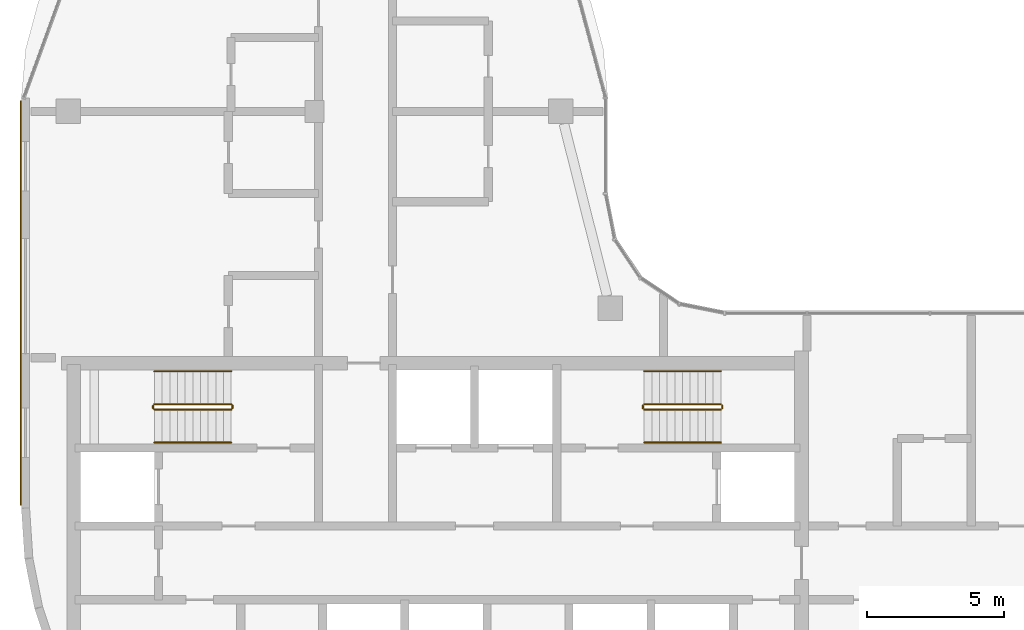
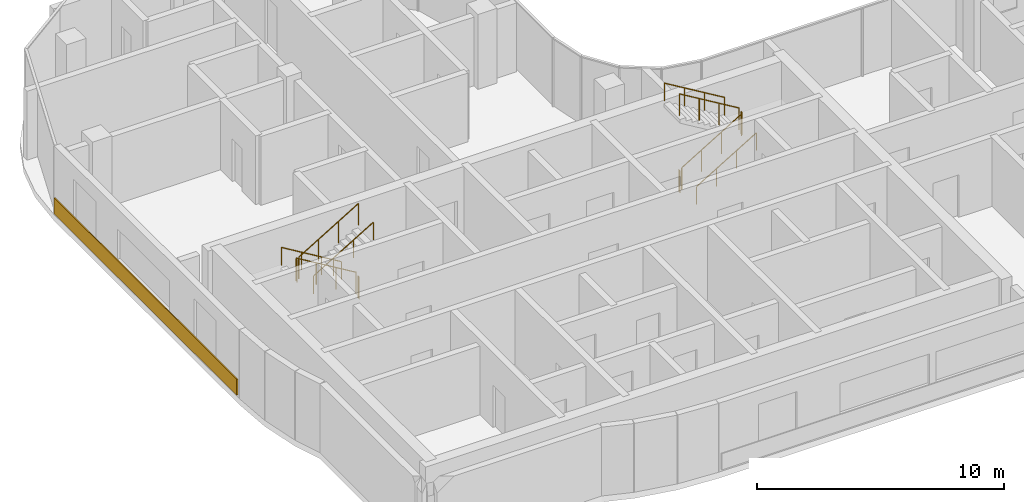
# One storey, part 16 of 19: 12 railings, 1 covering.
"""IFC4 building model written with IfcOpenShell, lengths in metres."""

import ifcopenshell
import ifcopenshell.guid

model = None  # the IFC model being written
_history = None  # IfcOwnerHistory: only IFC2X3 demands one
_inside = {}  # id of a spatial element -> (the spatial element, [elements in it])
_under = {}  # id of a project, library or spatial element -> (it, [spatial elements below it])
_declared = {}  # id of a project -> (the project, [libraries it declares])
_typed = {}  # id of a type object -> (the type object, [elements of that type])
_made_of = {}  # id of a material, layer set ... -> (it, [elements and type objects made of it])


def new_model(schema):
    """Start an empty IFC model of exactly this schema.

    Asked for "IFC4X3", IfcOpenShell would pick the latest addendum, in which some entities
    have other attributes; the version numbers below select the first issue.
    IFC2X3 requires an IfcOwnerHistory on every rooted entity: one is made here for all.
    """
    global model, _history
    if schema == "IFC4X3":
        model = ifcopenshell.file(schema_version=(4, 3, 0, 0))
    else:
        model = ifcopenshell.file(schema=schema)
    _inside.clear()
    _under.clear()
    _declared.clear()
    _typed.clear()
    _made_of.clear()
    _history = None
    if model.schema == "IFC2X3":
        org = make("IfcOrganization", Name="unknown")
        user = make(
            "IfcPersonAndOrganization",
            ThePerson=make("IfcPerson", FamilyName="unknown"),
            TheOrganization=org,
        )
        app = make(
            "IfcApplication",
            ApplicationDeveloper=org,
            Version="unknown",
            ApplicationFullName="unknown",
            ApplicationIdentifier="unknown",
        )
        _history = make(
            "IfcOwnerHistory",
            OwningUser=user,
            OwningApplication=app,
            ChangeAction="ADDED",
            CreationDate=0,
        )
    return model


def make(cls, **values):
    """One entity of the class cls with the attributes given. An attribute that is None is left unset."""
    return model.create_entity(
        cls, **{name: value for name, value in values.items() if value is not None}
    )


def rooted(cls, **values):
    """An entity with a GlobalId (a new one), such as an element, a storey or a relation."""
    return make(cls, GlobalId=ifcopenshell.guid.new(), OwnerHistory=_history, **values)


def si_unit(unit_type, name, prefix=None):
    """IfcSIUnit, for example si_unit("LENGTHUNIT", "METRE", prefix="MILLI")."""
    return make("IfcSIUnit", UnitType=unit_type, Prefix=prefix, Name=name)


def assignment(units):
    """IfcUnitAssignment: the units of a project."""
    return None if units is None else make("IfcUnitAssignment", Units=units)


def point(xyz):
    """IfcCartesianPoint."""
    return None if xyz is None else make("IfcCartesianPoint", Coordinates=xyz)


def direction(xyz):
    """IfcDirection."""
    return None if xyz is None else make("IfcDirection", DirectionRatios=xyz)


def frame(location, z_axis=None, x_axis=None):
    """IfcAxis2Placement3D, a coordinate frame: its origin and axes. An axis left out is left unset."""
    return make(
        "IfcAxis2Placement3D",
        Location=point(location),
        Axis=direction(z_axis),
        RefDirection=direction(x_axis),
    )


def frame_2d(location, x_axis=None):
    """IfcAxis2Placement2D, a coordinate frame in the plane: its origin and x axis."""
    return make(
        "IfcAxis2Placement2D", Location=point(location), RefDirection=direction(x_axis)
    )


def origin():
    """The frame at (0, 0, 0) with its axes left unset."""
    return frame((0.0, 0.0, 0.0))


def origin_2d():
    """The frame at (0, 0) in the plane with its x axis left unset."""
    return frame_2d((0.0, 0.0))


def place(relative_to, where):
    """IfcLocalPlacement: puts the frame where relative to a parent placement (None: the world)."""
    return make(
        "IfcLocalPlacement", PlacementRelTo=relative_to, RelativePlacement=where
    )


def context(
    kind, dimensions, precision=None, world=None, true_north=None, identifier=None
):
    """IfcGeometricRepresentationContext, for example the 3D "Model" context."""
    return make(
        "IfcGeometricRepresentationContext",
        ContextIdentifier=identifier,
        ContextType=kind,
        CoordinateSpaceDimension=dimensions,
        Precision=precision,
        WorldCoordinateSystem=world,
        TrueNorth=true_north,
    )


def subcontext(parent, identifier, kind, view, scale=None):
    """IfcGeometricRepresentationSubContext, for example "Body" below "Model"."""
    return make(
        "IfcGeometricRepresentationSubContext",
        ContextIdentifier=identifier,
        ContextType=kind,
        ParentContext=parent,
        TargetScale=scale,
        TargetView=view,
    )


def project(units=None, contexts=None):
    """IfcProject with its units and contexts."""
    return rooted(
        "IfcProject",
        Name="project",
        RepresentationContexts=contexts,
        UnitsInContext=assignment(units),
    )


def spatial(cls, under=None, at=None, **own):
    """A site, building, storey or space (cls), placed at a placement, below another one or the project."""
    s = rooted(cls, ObjectPlacement=at, **own)
    if under is not None:
        _under.setdefault(under.id(), (under, []))[1].append(s)
    return s


def profile(cls, at=None, kind="AREA", **sizes):
    """A parametric profile (cls). Its sizes go by their IFC names, for example OverallWidth=200.0."""
    return make(cls, ProfileType=kind, Position=at, **sizes)


def rectangle(**sizes):
    """IfcRectangleProfileDef."""
    return profile("IfcRectangleProfileDef", **sizes)


def circle(**sizes):
    """IfcCircleProfileDef."""
    return profile("IfcCircleProfileDef", **sizes)


def extrude(swept, where, along, depth):
    """IfcExtrudedAreaSolid: the profile swept, set in the frame where, extruded along a direction by depth."""
    return make(
        "IfcExtrudedAreaSolid",
        SweptArea=swept,
        Position=where,
        ExtrudedDirection=direction(along),
        Depth=depth,
    )


def shape(context_of_items, identifier, shape_type, items):
    """IfcShapeRepresentation: the items that make up one representation, for example the "Body"."""
    return make(
        "IfcShapeRepresentation",
        ContextOfItems=context_of_items,
        RepresentationIdentifier=identifier,
        RepresentationType=shape_type,
        Items=items,
    )


def material(Name=None, Category=None):
    """IfcMaterial."""
    return make("IfcMaterial", Name=Name, Category=Category)


def layer(
    of_material, thickness, ventilated=None, Name=None, Category=None, Priority=None
):
    """IfcMaterialLayer: one layer of a wall or slab, of a material (None: an air gap)."""
    return make(
        "IfcMaterialLayer",
        Material=of_material,
        LayerThickness=thickness,
        IsVentilated=ventilated,
        Name=Name,
        Category=Category,
        Priority=Priority,
    )


def layer_set(layers, Name=None):
    """IfcMaterialLayerSet."""
    return make("IfcMaterialLayerSet", MaterialLayers=layers, LayerSetName=Name)


def made_of(thing, what):
    """Note that an element or type object is made of a material, layer set ...; save() writes the relation."""
    if what is not None:
        _made_of.setdefault(what.id(), (what, []))[1].append(thing)
    return thing


def type_object(cls, material=None, **own):
    """A type object (cls), such as IfcWallType, which elements share."""
    return made_of(rooted(cls, **own), material)


def element(
    cls,
    number,
    at=None,
    inside=None,
    cuts=None,
    type_object=None,
    material=None,
    context=None,
    identifier="Body",
    shape_type=None,
    held_by="IfcProductDefinitionShape",
    body=None,
    shapes=None,
    **own,
):
    """One element of the class cls, such as IfcWall. Its Tag is "e" and its number.

    at: its placement. inside: the storey or other place that contains it. cuts: it is an
    opening in that element (IfcRelVoidsElement). A single representation is given by context,
    identifier, shape_type and body (its items); several are given by shapes. held_by: the class
    of the entity that holds the representations. save() writes the other relations.
    """
    e = rooted(cls, Tag="e%d" % number, ObjectPlacement=at, **own)
    if body is not None:
        shapes = [shape(context, identifier, shape_type, body)]
    if shapes is not None:
        e.Representation = make(held_by, Representations=shapes)
    if inside is not None:
        _inside.setdefault(inside.id(), (inside, []))[1].append(e)
    if cuts is not None:
        rooted(
            "IfcRelVoidsElement", RelatingBuildingElement=cuts, RelatedOpeningElement=e
        )
    if type_object is not None:
        _typed.setdefault(type_object.id(), (type_object, []))[1].append(e)
    return made_of(e, material)


def aggregate(whole, parts):
    """IfcRelAggregates: a whole, such as a stair, and the parts it consists of."""
    return rooted("IfcRelAggregates", RelatingObject=whole, RelatedObjects=parts)


def save(model, path):
    """Write the relations noted so far, then the file.

    IfcRelAggregates (storeys below a building ...), IfcRelContainedInSpatialStructure (elements
    in a storey), IfcRelDefinesByType, IfcRelAssociatesMaterial and IfcRelDeclares: one each for
    every whole, place, type object, material and project.
    """
    for whole, parts in _under.values():
        aggregate(whole, parts)
    for where, things in _inside.values():
        rooted(
            "IfcRelContainedInSpatialStructure",
            RelatedElements=things,
            RelatingStructure=where,
        )
    for kind, things in _typed.values():
        rooted("IfcRelDefinesByType", RelatedObjects=things, RelatingType=kind)
    for what, things in _made_of.values():
        rooted("IfcRelAssociatesMaterial", RelatedObjects=things, RelatingMaterial=what)
    for by, libraries in _declared.values():
        rooted("IfcRelDeclares", RelatingContext=by, RelatedDefinitions=libraries)
    model.write(path)


model = new_model("IFC4")

# Units and contexts
model_context = context("Model", 3, precision=1e-05, world=origin(), true_north=direction((0.0, 1.0)))
body_context = subcontext(model_context, "Body", "Model", "MODEL_VIEW")
ifc_project = project(units=[si_unit("LENGTHUNIT", "METRE"), si_unit("AREAUNIT", "SQUARE_METRE"), si_unit("VOLUMEUNIT", "CUBIC_METRE"), si_unit("PLANEANGLEUNIT", "RADIAN"), si_unit("MASSUNIT", "GRAM", prefix="KILO")], contexts=[model_context])

# Site, building, storey
site_placement = place(None, origin())
site = spatial("IfcSite", under=ifc_project, at=site_placement, CompositionType="ELEMENT")
building_placement = place(site_placement, origin())
building = spatial("IfcBuilding", under=site, at=building_placement, Name="Ogive Portal Towers", CompositionType="ELEMENT")
storey_placement = place(building_placement, frame((0.0, 0.0, 199.5)))
storey = spatial("IfcBuildingStorey", under=building, at=storey_placement, Name="L49", CompositionType="ELEMENT", Elevation=199.5)

# Railings
ifc_material_1 = material(Name="Stainless steel balustrade", Category="steel")
railing_type_1 = type_object("IfcRailingType", Name="INT-GUARD", PredefinedType="GUARDRAIL", material=ifc_material_1)
railing_1_placement = place(storey_placement, frame((37.449951171875, 37.800048828125, 0.168212890625)))
element("IfcRailing", 1, at=railing_1_placement, inside=storey, type_object=railing_type_1, Name="L49 ST-A1 stair guard 1", PredefinedType="GUARDRAIL", context=body_context, shape_type="SweptSolid", body=[
    extrude(circle(Radius=0.02392578125, at=origin_2d()), frame((0.0, 0.0, 1.076171875), z_axis=(-0.857242210791, 0.0, 0.514913383045), x_axis=(0.0, -1.0, 0.0)), (0.0, 0.0, 1.0), 3.266357421875),
    extrude(circle(Radius=0.02099609375, at=origin_2d()), origin(), (0.0, 0.0, 1.0), 1.052001953125),
    extrude(circle(Radius=0.02099609375, at=origin_2d()), frame((-0.933349609375, 0.0, 0.560546875)), (0.0, 0.0, 1.0), 1.052001953125),
    extrude(circle(Radius=0.02099609375, at=origin_2d()), frame((-1.86669921875, 0.0, 1.121337890625)), (0.0, 0.0, 1.0), 1.052001953125),
    extrude(circle(Radius=0.02099609375, at=origin_2d()), frame((-2.800048828125, 0.0, 1.681884765625)), (0.0, 0.0, 1.0), 1.052001953125),
])
railing_2_placement = place(storey_placement, frame((34.60009765625, 37.75, 1.85009765625)))
element("IfcRailing", 2, at=railing_2_placement, inside=storey, type_object=railing_type_1, Name="L49 ST-A1 stair guard 2", PredefinedType="GUARDRAIL", context=body_context, shape_type="SweptSolid", body=[
    extrude(circle(Radius=0.02392578125, at=origin_2d()), frame((0.0, 0.0, 1.076171875), z_axis=(0.0, -1.0, 0.0), x_axis=(1.0, 0.0, 0.0)), (0.0, 0.0, 1.0), 0.10009765625),
    extrude(circle(Radius=0.02099609375, at=origin_2d()), origin(), (0.0, 0.0, 1.0), 1.052001953125),
    extrude(circle(Radius=0.02099609375, at=origin_2d()), frame((0.0, -0.10009765625, 0.0)), (0.0, 0.0, 1.0), 1.052001953125),
])
railing_3_placement = place(storey_placement, frame((34.64990234375, 37.60009765625, 2.01806640625)))
element("IfcRailing", 3, at=railing_3_placement, inside=storey, type_object=railing_type_1, Name="L49 ST-A1 stair guard 3", PredefinedType="GUARDRAIL", context=body_context, shape_type="SweptSolid", body=[
    extrude(circle(Radius=0.02392578125, at=origin_2d()), frame((0.0, 0.0, 1.076171875), z_axis=(0.857242210791, 0.0, 0.514913383045), x_axis=(0.0, 1.0, 0.0)), (0.0, 0.0, 1.0), 3.266357421875),
    extrude(circle(Radius=0.02099609375, at=origin_2d()), origin(), (0.0, 0.0, 1.0), 1.052001953125),
    extrude(circle(Radius=0.02099609375, at=origin_2d()), frame((0.933349609375, 0.0, 0.560546875)), (0.0, 0.0, 1.0), 1.052001953125),
    extrude(circle(Radius=0.02099609375, at=origin_2d()), frame((1.86669921875, 0.0, 1.121337890625)), (0.0, 0.0, 1.0), 1.052001953125),
    extrude(circle(Radius=0.02099609375, at=origin_2d()), frame((2.800048828125, 0.0, 1.681884765625)), (0.0, 0.0, 1.0), 1.052001953125),
])
railing_4_placement = place(storey_placement, frame((37.5, 37.75, 0.0)))
element("IfcRailing", 4, at=railing_4_placement, inside=storey, type_object=railing_type_1, Name="L49 ST-A1 stair guard 4", PredefinedType="GUARDRAIL", context=body_context, shape_type="SweptSolid", body=[
    extrude(circle(Radius=0.02392578125, at=origin_2d()), frame((0.0, 0.0, 1.076171875), z_axis=(0.0, -1.0, 0.0), x_axis=(1.0, 0.0, 0.0)), (0.0, 0.0, 1.0), 0.10009765625),
    extrude(circle(Radius=0.02099609375, at=origin_2d()), origin(), (0.0, 0.0, 1.0), 1.052001953125),
    extrude(circle(Radius=0.02099609375, at=origin_2d()), frame((0.0, -0.10009765625, 0.0)), (0.0, 0.0, 1.0), 1.052001953125),
])
railing_5_placement = place(storey_placement, frame((52.550048828125, 37.60009765625, 0.168212890625)))
element("IfcRailing", 5, at=railing_5_placement, inside=storey, type_object=railing_type_1, Name="L49 ST-A2 stair guard 1", PredefinedType="GUARDRAIL", context=body_context, shape_type="SweptSolid", body=[
    extrude(circle(Radius=0.02392578125, at=origin_2d()), frame((0.0, 0.0, 1.076171875), z_axis=(0.857242210791, 0.0, 0.514913383045), x_axis=(0.0, 1.0, 0.0)), (0.0, 0.0, 1.0), 3.266357421875),
    extrude(circle(Radius=0.02099609375, at=origin_2d()), origin(), (0.0, 0.0, 1.0), 1.052001953125),
    extrude(circle(Radius=0.02099609375, at=origin_2d()), frame((0.933349609375, 0.0, 0.560546875)), (0.0, 0.0, 1.0), 1.052001953125),
    extrude(circle(Radius=0.02099609375, at=origin_2d()), frame((1.86669921875, 0.0, 1.121337890625)), (0.0, 0.0, 1.0), 1.052001953125),
    extrude(circle(Radius=0.02099609375, at=origin_2d()), frame((2.800048828125, 0.0, 1.681884765625)), (0.0, 0.0, 1.0), 1.052001953125),
])
railing_6_placement = place(storey_placement, frame((55.39990234375, 37.64990234375, 1.85009765625)))
element("IfcRailing", 6, at=railing_6_placement, inside=storey, type_object=railing_type_1, Name="L49 ST-A2 stair guard 2", PredefinedType="GUARDRAIL", context=body_context, shape_type="SweptSolid", body=[
    extrude(circle(Radius=0.02392578125, at=origin_2d()), frame((0.0, 0.0, 1.076171875), z_axis=(0.0, 1.0, 0.0), x_axis=(-1.0, 0.0, 0.0)), (0.0, 0.0, 1.0), 0.10009765625),
    extrude(circle(Radius=0.02099609375, at=origin_2d()), origin(), (0.0, 0.0, 1.0), 1.052001953125),
    extrude(circle(Radius=0.02099609375, at=origin_2d()), frame((0.0, 0.10009765625, 0.0)), (0.0, 0.0, 1.0), 1.052001953125),
])
railing_7_placement = place(storey_placement, frame((55.35009765625, 37.800048828125, 2.01806640625)))
element("IfcRailing", 7, at=railing_7_placement, inside=storey, type_object=railing_type_1, Name="L49 ST-A2 stair guard 3", PredefinedType="GUARDRAIL", context=body_context, shape_type="SweptSolid", body=[
    extrude(circle(Radius=0.02392578125, at=origin_2d()), frame((0.0, 0.0, 1.076171875), z_axis=(-0.857242210791, 0.0, 0.514913383045), x_axis=(0.0, -1.0, 0.0)), (0.0, 0.0, 1.0), 3.266357421875),
    extrude(circle(Radius=0.02099609375, at=origin_2d()), origin(), (0.0, 0.0, 1.0), 1.052001953125),
    extrude(circle(Radius=0.02099609375, at=origin_2d()), frame((-0.933349609375, 0.0, 0.560546875)), (0.0, 0.0, 1.0), 1.052001953125),
    extrude(circle(Radius=0.02099609375, at=origin_2d()), frame((-1.86669921875, 0.0, 1.121337890625)), (0.0, 0.0, 1.0), 1.052001953125),
    extrude(circle(Radius=0.02099609375, at=origin_2d()), frame((-2.800048828125, 0.0, 1.681884765625)), (0.0, 0.0, 1.0), 1.052001953125),
])
railing_8_placement = place(storey_placement, frame((52.5, 37.64990234375, 0.0)))
element("IfcRailing", 8, at=railing_8_placement, inside=storey, type_object=railing_type_1, Name="L49 ST-A2 stair guard 4", PredefinedType="GUARDRAIL", context=body_context, shape_type="SweptSolid", body=[
    extrude(circle(Radius=0.02392578125, at=origin_2d()), frame((0.0, 0.0, 1.076171875), z_axis=(0.0, 1.0, 0.0), x_axis=(-1.0, 0.0, 0.0)), (0.0, 0.0, 1.0), 0.10009765625),
    extrude(circle(Radius=0.02099609375, at=origin_2d()), origin(), (0.0, 0.0, 1.0), 1.052001953125),
    extrude(circle(Radius=0.02099609375, at=origin_2d()), frame((0.0, 0.10009765625, 0.0)), (0.0, 0.0, 1.0), 1.052001953125),
])
ifc_material_2 = material(Name="Stainless steel handrail", Category="steel")
railing_type_2 = type_object("IfcRailingType", Name="INT-HANDRAIL", PredefinedType="HANDRAIL", material=ifc_material_2)
railing_9_placement = place(storey_placement, frame((37.449951171875, 39.0, 0.168212890625)))
element("IfcRailing", 9, at=railing_9_placement, inside=storey, type_object=railing_type_2, Name="L49 ST-A1 stair handrail 1", PredefinedType="HANDRAIL", context=body_context, shape_type="SweptSolid", body=[
    extrude(circle(Radius=0.02392578125, at=origin_2d()), frame((0.0, 0.0, 0.8759765625), z_axis=(-0.857242210791, 0.0, 0.514913383045), x_axis=(0.0, -1.0, 0.0)), (0.0, 0.0, 1.0), 3.266357421875),
    extrude(circle(Radius=0.02099609375, at=origin_2d()), origin(), (0.0, 0.0, 1.0), 0.851806640625),
    extrude(circle(Radius=0.02099609375, at=origin_2d()), frame((-0.933349609375, 0.0, 0.560546875)), (0.0, 0.0, 1.0), 0.851806640625),
    extrude(circle(Radius=0.02099609375, at=origin_2d()), frame((-1.86669921875, 0.0, 1.121337890625)), (0.0, 0.0, 1.0), 0.851806640625),
    extrude(circle(Radius=0.02099609375, at=origin_2d()), frame((-2.800048828125, 0.0, 1.681884765625)), (0.0, 0.0, 1.0), 0.851806640625),
])
for number, where, name in (
    (10, (34.64990234375, 36.39990234375, 2.01806640625), "L49 ST-A1 stair handrail 2"),
    (11, (52.550048828125, 36.39990234375, 0.168212890625), "L49 ST-A2 stair handrail 1"),
):
    element("IfcRailing", number, at=place(storey_placement, frame(where)), inside=storey, type_object=railing_type_2, Name=name, PredefinedType="HANDRAIL", context=body_context, shape_type="SweptSolid", body=[
        extrude(circle(Radius=0.02392578125, at=origin_2d()), frame((0.0, 0.0, 0.8759765625), z_axis=(0.857242210791, 0.0, 0.514913383045), x_axis=(0.0, 1.0, 0.0)), (0.0, 0.0, 1.0), 3.266357421875),
        extrude(circle(Radius=0.02099609375, at=origin_2d()), origin(), (0.0, 0.0, 1.0), 0.851806640625),
        extrude(circle(Radius=0.02099609375, at=origin_2d()), frame((0.933349609375, 0.0, 0.560546875)), (0.0, 0.0, 1.0), 0.851806640625),
        extrude(circle(Radius=0.02099609375, at=origin_2d()), frame((1.86669921875, 0.0, 1.121337890625)), (0.0, 0.0, 1.0), 0.851806640625),
        extrude(circle(Radius=0.02099609375, at=origin_2d()), frame((2.800048828125, 0.0, 1.681884765625)), (0.0, 0.0, 1.0), 0.851806640625),
    ])
railing_10_placement = place(storey_placement, frame((55.35009765625, 39.0, 2.01806640625)))
element("IfcRailing", 12, at=railing_10_placement, inside=storey, type_object=railing_type_2, Name="L49 ST-A2 stair handrail 2", PredefinedType="HANDRAIL", context=body_context, shape_type="SweptSolid", body=[
    extrude(circle(Radius=0.02392578125, at=origin_2d()), frame((0.0, 0.0, 0.8759765625), z_axis=(-0.857242210791, 0.0, 0.514913383045), x_axis=(0.0, -1.0, 0.0)), (0.0, 0.0, 1.0), 3.266357421875),
    extrude(circle(Radius=0.02099609375, at=origin_2d()), origin(), (0.0, 0.0, 1.0), 0.851806640625),
    extrude(circle(Radius=0.02099609375, at=origin_2d()), frame((-0.933349609375, 0.0, 0.560546875)), (0.0, 0.0, 1.0), 0.851806640625),
    extrude(circle(Radius=0.02099609375, at=origin_2d()), frame((-1.86669921875, 0.0, 1.121337890625)), (0.0, 0.0, 1.0), 0.851806640625),
    extrude(circle(Radius=0.02099609375, at=origin_2d()), frame((-2.800048828125, 0.0, 1.681884765625)), (0.0, 0.0, 1.0), 0.851806640625),
])

# Covering
ifc_material_3 = material(Name="Limestone cladding on lightweight block wall", Category="masonry")
ifc_layer = layer(ifc_material_3, 0.050048828125)
ifc_layer_set = layer_set([ifc_layer], Name="SCREEN PERFORATED STONE")
covering_type = type_object("IfcCoveringType", Name="SCREEN PERFORATED STONE", PredefinedType="CLADDING", material=ifc_layer_set)
covering_placement = place(storey_placement, frame((29.760009765625, 41.497802734375, 0.10009765625), z_axis=(0.0, 0.0, 1.0), x_axis=(0.0, -1.0, 0.0)))
element("IfcCovering", 13, at=covering_placement, inside=storey, type_object=covering_type, Name="Tracery screen", PredefinedType="CLADDING", context=body_context, shape_type="SweptSolid", body=[
    extrude(rectangle(XDim=14.776123046875, YDim=0.050048828125, at=origin_2d()), origin(), (0.0, 0.0, 1.0), 0.800048828125),
])

save(model, "model.ifc")
